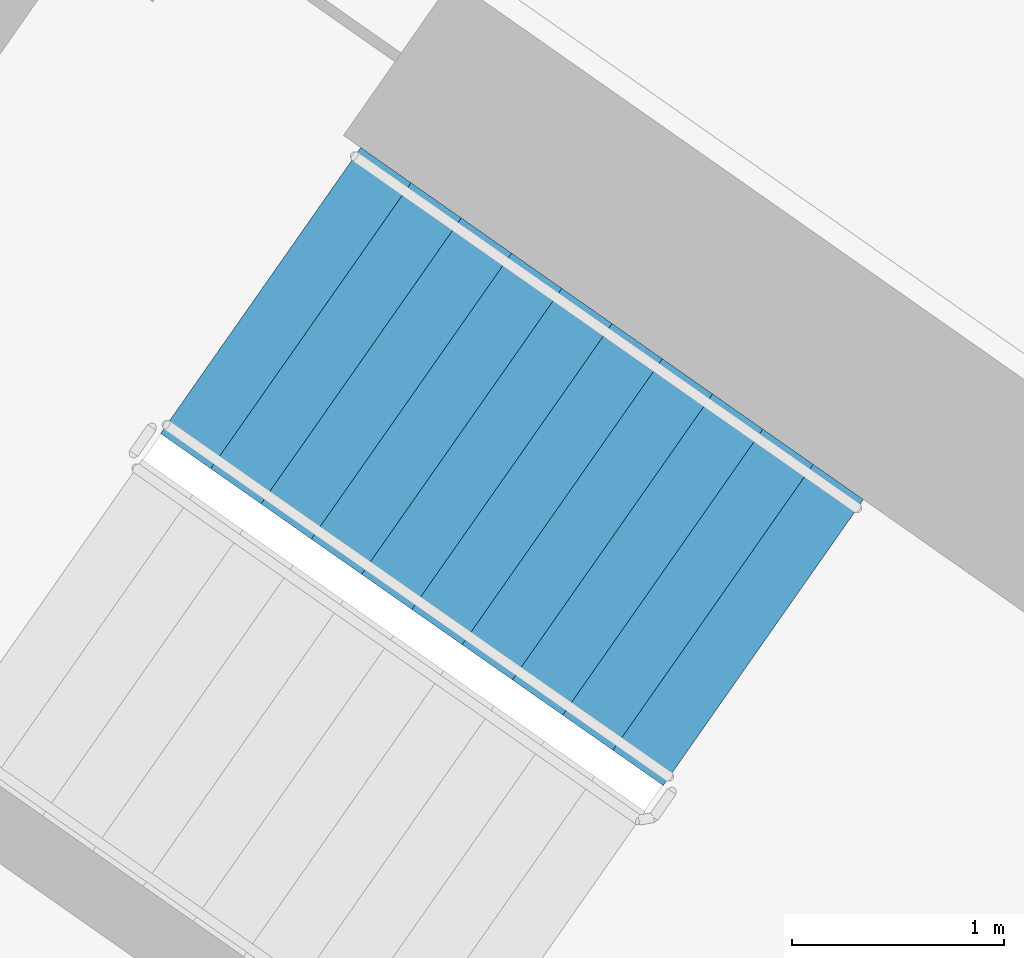
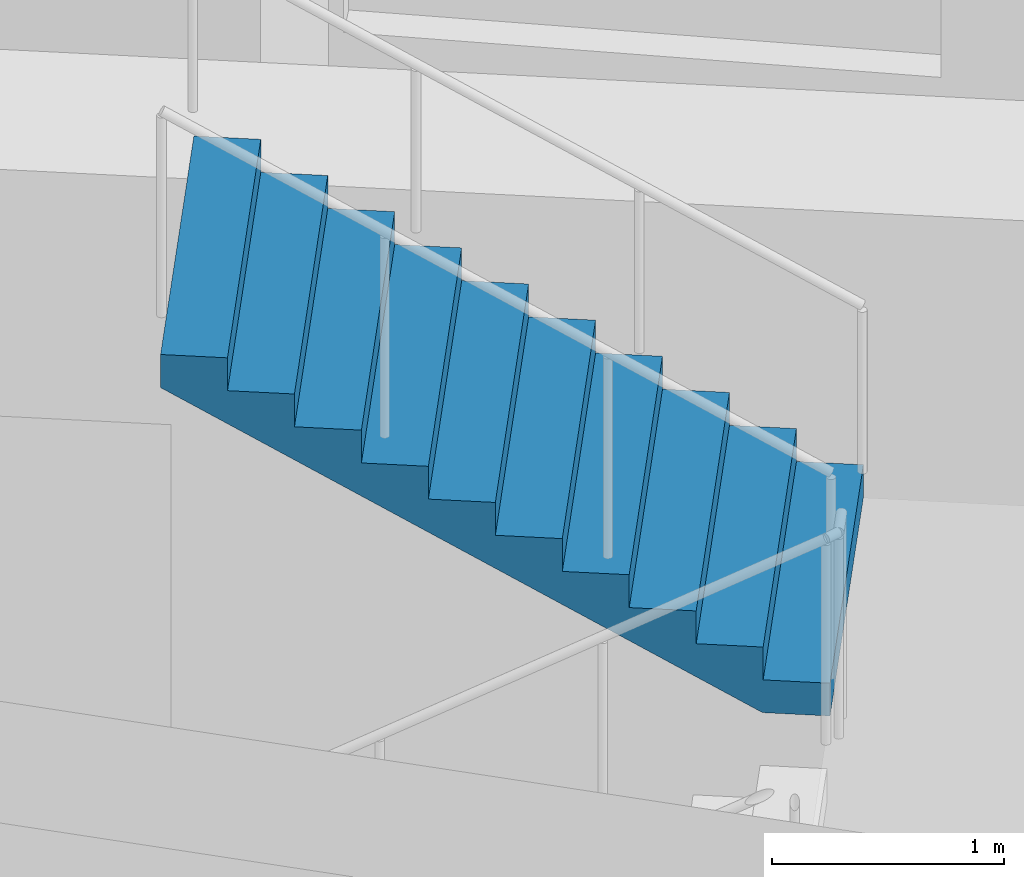
# One storey, part 12 of 28: 1 stair flight, 1 element without a shape of its own.
"""IFC4 building model written with IfcOpenShell, lengths in metres."""

from ifc_helpers import new_model, si_unit, direction, frame, origin, place, context, subcontext, project, spatial, faceted_brep, material, type_object, element, aggregate, save


model = new_model("IFC4")

# Units and contexts
model_context = context("Model", 3, precision=1e-05, world=origin(), true_north=direction((0.0, 1.0)))
body_context = subcontext(model_context, "Body", "Model", "MODEL_VIEW")
ifc_project = project(units=[si_unit("LENGTHUNIT", "METRE"), si_unit("AREAUNIT", "SQUARE_METRE"), si_unit("VOLUMEUNIT", "CUBIC_METRE"), si_unit("PLANEANGLEUNIT", "RADIAN"), si_unit("MASSUNIT", "GRAM", prefix="KILO")], contexts=[model_context])

# Site, building, storey
site_placement = place(None, origin())
site = spatial("IfcSite", under=ifc_project, at=site_placement, CompositionType="ELEMENT")
building_placement = place(site_placement, origin())
building = spatial("IfcBuilding", under=site, at=building_placement, Name="Qamariyya Broadcast Tower", CompositionType="ELEMENT")
storey_placement = place(building_placement, frame((0.0, 0.0, 140.5)))
storey = spatial("IfcBuildingStorey", under=building, at=storey_placement, Name="L32", CompositionType="ELEMENT", Elevation=140.5)

# Stair, stair flight
ifc_material = material(Name="Concrete C50/60", Category="concrete")
stair_type = type_object("IfcStairType", Name="Exit stair 22 risers of 173 mm", PredefinedType="HALF_TURN_STAIR", material=ifc_material)
stair_placement = place(storey_placement, origin())
stair = element("IfcStair", 1, at=stair_placement, inside=storey, type_object=stair_type, Name="L32 Stair W2", PredefinedType="HALF_TURN_STAIR")
stair_flight_type = type_object("IfcStairFlightType", Name="Exit stair flight 11 risers of 173 mm", PredefinedType="STRAIGHT", material=ifc_material)
stair_flight_placement = place(storey_placement, frame((-38.18310546875, -49.3486328125, 1.89990234375), z_axis=(0.0, 0.0, 1.0), x_axis=(-0.819152044289, 0.573576436351, 0.0)))
stair_flight = element("IfcStairFlight", 2, at=stair_flight_placement, type_object=stair_flight_type, Name="ST-W2 flight 2", NumberOfRisers=11, NumberOfTreads=10, PredefinedType="STRAIGHT", RiserHeight=0.172727273, TreadLength=0.29, context=body_context, shape_type="Brep", body=[
    faceted_brep([(0.0, 0.824951171875, 0.0), (0.0, 0.824951171875, 0.172607421875), (0.2900390625, 0.824951171875, 0.172607421875), (0.2900390625, 0.824951171875, 0.345458984375), (0.580078125, 0.824951171875, 0.345458984375), (0.580078125, 0.824951171875, 0.51806640625), (0.8701171875, 0.824951171875, 0.51806640625), (0.8701171875, 0.824951171875, 0.69091796875), (1.159912109375, 0.824951171875, 0.69091796875), (1.159912109375, 0.824951171875, 0.863525390625), (1.449951171875, 0.824951171875, 0.863525390625), (1.449951171875, 0.824951171875, 1.036376953125), (1.739990234375, 0.824951171875, 1.036376953125), (1.739990234375, 0.824951171875, 1.208984375), (2.030029296875, 0.824951171875, 1.208984375), (2.030029296875, 0.824951171875, 1.3818359375), (2.320068359375, 0.824951171875, 1.3818359375), (2.320068359375, 0.824951171875, 1.554443359375), (2.610107421875, 0.824951171875, 1.554443359375), (2.610107421875, 0.824951171875, 1.727294921875), (2.89990234375, 0.824951171875, 1.727294921875), (2.89990234375, 0.824951171875, 1.552734375), (0.29296875, 0.824951171875, 0.0), (0.29296875, -0.824951171875, 0.0), (2.89990234375, -0.824951171875, 1.552734375), (2.89990234375, -0.824951171875, 1.727294921875), (2.610107421875, -0.824951171875, 1.727294921875), (2.610107421875, -0.824951171875, 1.554443359375), (2.320068359375, -0.824951171875, 1.554443359375), (2.320068359375, -0.824951171875, 1.3818359375), (2.030029296875, -0.824951171875, 1.3818359375), (2.030029296875, -0.824951171875, 1.208984375), (1.739990234375, -0.824951171875, 1.208984375), (1.739990234375, -0.824951171875, 1.036376953125), (1.449951171875, -0.824951171875, 1.036376953125), (1.449951171875, -0.824951171875, 0.863525390625), (1.159912109375, -0.824951171875, 0.863525390625), (1.159912109375, -0.824951171875, 0.69091796875), (0.8701171875, -0.824951171875, 0.69091796875), (0.8701171875, -0.824951171875, 0.51806640625), (0.580078125, -0.824951171875, 0.51806640625), (0.580078125, -0.824951171875, 0.345458984375), (0.2900390625, -0.824951171875, 0.345458984375), (0.2900390625, -0.824951171875, 0.172607421875), (0.0, -0.824951171875, 0.172607421875), (0.0, -0.824951171875, 0.0), (0.0, 0.10009765625, 0.0), (0.0, 0.086669921875, 0.0), (0.0, 0.0732421875, 0.0), (0.0, 0.06005859375, 0.0), (0.0, 0.046630859375, 0.0), (0.0, 0.033447265625, 0.0), (0.0, 0.02001953125, 0.0), (0.0, 0.006591796875, 0.0), (0.0, -0.006591796875, 0.0), (0.0, -0.02001953125, 0.0), (0.0, -0.033447265625, 0.0), (0.0, -0.046630859375, 0.0), (0.0, -0.06005859375, 0.0), (0.0, -0.0732421875, 0.0), (0.0, -0.086669921875, 0.0), (0.0, -0.10009765625, 0.0), (0.0, -0.10009765625, 0.172607421875), (0.0, -0.086669921875, 0.172607421875), (0.0, -0.0732421875, 0.172607421875), (0.0, -0.06005859375, 0.172607421875), (0.0, -0.046630859375, 0.172607421875), (0.0, -0.033447265625, 0.172607421875), (0.0, -0.02001953125, 0.172607421875), (0.0, -0.006591796875, 0.172607421875), (0.0, 0.006591796875, 0.172607421875), (0.0, 0.02001953125, 0.172607421875), (0.0, 0.033447265625, 0.172607421875), (0.0, 0.046630859375, 0.172607421875), (0.0, 0.06005859375, 0.172607421875), (0.0, 0.0732421875, 0.172607421875), (0.0, 0.086669921875, 0.172607421875), (0.0, 0.10009765625, 0.172607421875), (0.2900390625, -0.10009765625, 0.172607421875), (0.2900390625, -0.086669921875, 0.172607421875), (0.2900390625, -0.0732421875, 0.172607421875), (0.2900390625, -0.06005859375, 0.172607421875), (0.2900390625, -0.046630859375, 0.172607421875), (0.2900390625, -0.033447265625, 0.172607421875), (0.2900390625, -0.02001953125, 0.172607421875), (0.2900390625, -0.006591796875, 0.172607421875), (0.2900390625, 0.006591796875, 0.172607421875), (0.2900390625, 0.02001953125, 0.172607421875), (0.2900390625, 0.033447265625, 0.172607421875), (0.2900390625, 0.046630859375, 0.172607421875), (0.2900390625, 0.06005859375, 0.172607421875), (0.2900390625, 0.0732421875, 0.172607421875), (0.2900390625, 0.086669921875, 0.172607421875), (0.2900390625, 0.10009765625, 0.172607421875), (0.2900390625, -0.10009765625, 0.345458984375), (0.2900390625, -0.086669921875, 0.345458984375), (0.2900390625, -0.0732421875, 0.345458984375), (0.2900390625, -0.06005859375, 0.345458984375), (0.2900390625, -0.046630859375, 0.345458984375), (0.2900390625, -0.033447265625, 0.345458984375), (0.2900390625, -0.02001953125, 0.345458984375), (0.2900390625, -0.006591796875, 0.345458984375), (0.2900390625, 0.006591796875, 0.345458984375), (0.2900390625, 0.02001953125, 0.345458984375), (0.2900390625, 0.033447265625, 0.345458984375), (0.2900390625, 0.046630859375, 0.345458984375), (0.2900390625, 0.06005859375, 0.345458984375), (0.2900390625, 0.0732421875, 0.345458984375), (0.2900390625, 0.086669921875, 0.345458984375), (0.2900390625, 0.10009765625, 0.345458984375), (0.580078125, -0.10009765625, 0.345458984375), (0.580078125, -0.086669921875, 0.345458984375), (0.580078125, -0.0732421875, 0.345458984375), (0.580078125, -0.06005859375, 0.345458984375), (0.580078125, -0.046630859375, 0.345458984375), (0.580078125, -0.033447265625, 0.345458984375), (0.580078125, -0.02001953125, 0.345458984375), (0.580078125, -0.006591796875, 0.345458984375), (0.580078125, 0.006591796875, 0.345458984375), (0.580078125, 0.02001953125, 0.345458984375), (0.580078125, 0.033447265625, 0.345458984375), (0.580078125, 0.046630859375, 0.345458984375), (0.580078125, 0.06005859375, 0.345458984375), (0.580078125, 0.0732421875, 0.345458984375), (0.580078125, 0.086669921875, 0.345458984375), (0.580078125, 0.10009765625, 0.345458984375), (0.580078125, -0.10009765625, 0.51806640625), (0.580078125, -0.086669921875, 0.51806640625), (0.580078125, -0.0732421875, 0.51806640625), (0.580078125, -0.06005859375, 0.51806640625), (0.580078125, -0.046630859375, 0.51806640625), (0.580078125, -0.033447265625, 0.51806640625), (0.580078125, -0.02001953125, 0.51806640625), (0.580078125, -0.006591796875, 0.51806640625), (0.580078125, 0.006591796875, 0.51806640625), (0.580078125, 0.02001953125, 0.51806640625), (0.580078125, 0.033447265625, 0.51806640625), (0.580078125, 0.046630859375, 0.51806640625), (0.580078125, 0.06005859375, 0.51806640625), (0.580078125, 0.0732421875, 0.51806640625), (0.580078125, 0.086669921875, 0.51806640625), (0.580078125, 0.10009765625, 0.51806640625), (0.8701171875, -0.10009765625, 0.51806640625), (0.8701171875, -0.086669921875, 0.51806640625), (0.8701171875, -0.0732421875, 0.51806640625), (0.8701171875, -0.06005859375, 0.51806640625), (0.8701171875, -0.046630859375, 0.51806640625), (0.8701171875, -0.033447265625, 0.51806640625), (0.8701171875, -0.02001953125, 0.51806640625), (0.8701171875, -0.006591796875, 0.51806640625), (0.8701171875, 0.006591796875, 0.51806640625), (0.8701171875, 0.02001953125, 0.51806640625), (0.8701171875, 0.033447265625, 0.51806640625), (0.8701171875, 0.046630859375, 0.51806640625), (0.8701171875, 0.06005859375, 0.51806640625), (0.8701171875, 0.0732421875, 0.51806640625), (0.8701171875, 0.086669921875, 0.51806640625), (0.8701171875, 0.10009765625, 0.51806640625), (0.8701171875, -0.10009765625, 0.69091796875), (0.8701171875, -0.086669921875, 0.69091796875), (0.8701171875, -0.0732421875, 0.69091796875), (0.8701171875, -0.06005859375, 0.69091796875), (0.8701171875, -0.046630859375, 0.69091796875), (0.8701171875, -0.033447265625, 0.69091796875), (0.8701171875, -0.02001953125, 0.69091796875), (0.8701171875, -0.006591796875, 0.69091796875), (0.8701171875, 0.006591796875, 0.69091796875), (0.8701171875, 0.02001953125, 0.69091796875), (0.8701171875, 0.033447265625, 0.69091796875), (0.8701171875, 0.046630859375, 0.69091796875), (0.8701171875, 0.06005859375, 0.69091796875), (0.8701171875, 0.0732421875, 0.69091796875), (0.8701171875, 0.086669921875, 0.69091796875), (0.8701171875, 0.10009765625, 0.69091796875), (1.159912109375, -0.10009765625, 0.69091796875), (1.159912109375, -0.086669921875, 0.69091796875), (1.159912109375, -0.0732421875, 0.69091796875), (1.159912109375, -0.06005859375, 0.69091796875), (1.159912109375, -0.046630859375, 0.69091796875), (1.159912109375, -0.033447265625, 0.69091796875), (1.159912109375, -0.02001953125, 0.69091796875), (1.159912109375, -0.006591796875, 0.69091796875), (1.159912109375, 0.006591796875, 0.69091796875), (1.159912109375, 0.02001953125, 0.69091796875), (1.159912109375, 0.033447265625, 0.69091796875), (1.159912109375, 0.046630859375, 0.69091796875), (1.159912109375, 0.06005859375, 0.69091796875), (1.159912109375, 0.0732421875, 0.69091796875), (1.159912109375, 0.086669921875, 0.69091796875), (1.159912109375, 0.10009765625, 0.69091796875), (1.159912109375, -0.10009765625, 0.863525390625), (1.159912109375, -0.086669921875, 0.863525390625), (1.159912109375, -0.0732421875, 0.863525390625), (1.159912109375, -0.06005859375, 0.863525390625), (1.159912109375, -0.046630859375, 0.863525390625), (1.159912109375, -0.033447265625, 0.863525390625), (1.159912109375, -0.02001953125, 0.863525390625), (1.159912109375, -0.006591796875, 0.863525390625), (1.159912109375, 0.006591796875, 0.863525390625), (1.159912109375, 0.02001953125, 0.863525390625), (1.159912109375, 0.033447265625, 0.863525390625), (1.159912109375, 0.046630859375, 0.863525390625), (1.159912109375, 0.06005859375, 0.863525390625), (1.159912109375, 0.0732421875, 0.863525390625), (1.159912109375, 0.086669921875, 0.863525390625), (1.159912109375, 0.10009765625, 0.863525390625), (1.449951171875, -0.10009765625, 0.863525390625), (1.449951171875, -0.086669921875, 0.863525390625), (1.449951171875, -0.0732421875, 0.863525390625), (1.449951171875, -0.06005859375, 0.863525390625), (1.449951171875, -0.046630859375, 0.863525390625), (1.449951171875, -0.033447265625, 0.863525390625), (1.449951171875, -0.02001953125, 0.863525390625), (1.449951171875, -0.006591796875, 0.863525390625), (1.449951171875, 0.006591796875, 0.863525390625), (1.449951171875, 0.02001953125, 0.863525390625), (1.449951171875, 0.033447265625, 0.863525390625), (1.449951171875, 0.046630859375, 0.863525390625), (1.449951171875, 0.06005859375, 0.863525390625), (1.449951171875, 0.0732421875, 0.863525390625), (1.449951171875, 0.086669921875, 0.863525390625), (1.449951171875, 0.10009765625, 0.863525390625), (1.449951171875, -0.10009765625, 1.036376953125), (1.449951171875, -0.086669921875, 1.036376953125), (1.449951171875, -0.0732421875, 1.036376953125), (1.449951171875, -0.06005859375, 1.036376953125), (1.449951171875, -0.046630859375, 1.036376953125), (1.449951171875, -0.033447265625, 1.036376953125), (1.449951171875, -0.02001953125, 1.036376953125), (1.449951171875, -0.006591796875, 1.036376953125), (1.449951171875, 0.006591796875, 1.036376953125), (1.449951171875, 0.02001953125, 1.036376953125), (1.449951171875, 0.033447265625, 1.036376953125), (1.449951171875, 0.046630859375, 1.036376953125), (1.449951171875, 0.06005859375, 1.036376953125), (1.449951171875, 0.0732421875, 1.036376953125), (1.449951171875, 0.086669921875, 1.036376953125), (1.449951171875, 0.10009765625, 1.036376953125), (1.739990234375, -0.10009765625, 1.036376953125), (1.739990234375, -0.086669921875, 1.036376953125), (1.739990234375, -0.0732421875, 1.036376953125), (1.739990234375, -0.06005859375, 1.036376953125), (1.739990234375, -0.046630859375, 1.036376953125), (1.739990234375, -0.033447265625, 1.036376953125), (1.739990234375, -0.02001953125, 1.036376953125), (1.739990234375, -0.006591796875, 1.036376953125), (1.739990234375, 0.006591796875, 1.036376953125), (1.739990234375, 0.02001953125, 1.036376953125), (1.739990234375, 0.033447265625, 1.036376953125), (1.739990234375, 0.046630859375, 1.036376953125), (1.739990234375, 0.06005859375, 1.036376953125), (1.739990234375, 0.0732421875, 1.036376953125), (1.739990234375, 0.086669921875, 1.036376953125), (1.739990234375, 0.10009765625, 1.036376953125), (1.739990234375, -0.10009765625, 1.208984375), (1.739990234375, -0.086669921875, 1.208984375), (1.739990234375, -0.0732421875, 1.208984375), (1.739990234375, -0.06005859375, 1.208984375), (1.739990234375, -0.046630859375, 1.208984375), (1.739990234375, -0.033447265625, 1.208984375), (1.739990234375, -0.02001953125, 1.208984375), (1.739990234375, -0.006591796875, 1.208984375), (1.739990234375, 0.006591796875, 1.208984375), (1.739990234375, 0.02001953125, 1.208984375), (1.739990234375, 0.033447265625, 1.208984375), (1.739990234375, 0.046630859375, 1.208984375), (1.739990234375, 0.06005859375, 1.208984375), (1.739990234375, 0.0732421875, 1.208984375), (1.739990234375, 0.086669921875, 1.208984375), (1.739990234375, 0.10009765625, 1.208984375), (2.030029296875, -0.10009765625, 1.208984375), (2.030029296875, -0.086669921875, 1.208984375), (2.030029296875, -0.0732421875, 1.208984375), (2.030029296875, -0.06005859375, 1.208984375), (2.030029296875, -0.046630859375, 1.208984375), (2.030029296875, -0.033447265625, 1.208984375), (2.030029296875, -0.02001953125, 1.208984375), (2.030029296875, -0.006591796875, 1.208984375), (2.030029296875, 0.006591796875, 1.208984375), (2.030029296875, 0.02001953125, 1.208984375), (2.030029296875, 0.033447265625, 1.208984375), (2.030029296875, 0.046630859375, 1.208984375), (2.030029296875, 0.06005859375, 1.208984375), (2.030029296875, 0.0732421875, 1.208984375), (2.030029296875, 0.086669921875, 1.208984375), (2.030029296875, 0.10009765625, 1.208984375), (2.030029296875, -0.10009765625, 1.3818359375), (2.030029296875, -0.086669921875, 1.3818359375), (2.030029296875, -0.0732421875, 1.3818359375), (2.030029296875, -0.06005859375, 1.3818359375), (2.030029296875, -0.046630859375, 1.3818359375), (2.030029296875, -0.033447265625, 1.3818359375), (2.030029296875, -0.02001953125, 1.3818359375), (2.030029296875, -0.006591796875, 1.3818359375), (2.030029296875, 0.006591796875, 1.3818359375), (2.030029296875, 0.02001953125, 1.3818359375), (2.030029296875, 0.033447265625, 1.3818359375), (2.030029296875, 0.046630859375, 1.3818359375), (2.030029296875, 0.06005859375, 1.3818359375), (2.030029296875, 0.0732421875, 1.3818359375), (2.030029296875, 0.086669921875, 1.3818359375), (2.030029296875, 0.10009765625, 1.3818359375), (2.320068359375, -0.10009765625, 1.3818359375), (2.320068359375, -0.086669921875, 1.3818359375), (2.320068359375, -0.0732421875, 1.3818359375), (2.320068359375, -0.06005859375, 1.3818359375), (2.320068359375, -0.046630859375, 1.3818359375), (2.320068359375, -0.033447265625, 1.3818359375), (2.320068359375, -0.02001953125, 1.3818359375), (2.320068359375, -0.006591796875, 1.3818359375), (2.320068359375, 0.006591796875, 1.3818359375), (2.320068359375, 0.02001953125, 1.3818359375), (2.320068359375, 0.033447265625, 1.3818359375), (2.320068359375, 0.046630859375, 1.3818359375), (2.320068359375, 0.06005859375, 1.3818359375), (2.320068359375, 0.0732421875, 1.3818359375), (2.320068359375, 0.086669921875, 1.3818359375), (2.320068359375, 0.10009765625, 1.3818359375), (2.320068359375, -0.10009765625, 1.554443359375), (2.320068359375, -0.086669921875, 1.554443359375), (2.320068359375, -0.0732421875, 1.554443359375), (2.320068359375, -0.06005859375, 1.554443359375), (2.320068359375, -0.046630859375, 1.554443359375), (2.320068359375, -0.033447265625, 1.554443359375), (2.320068359375, -0.02001953125, 1.554443359375), (2.320068359375, -0.006591796875, 1.554443359375), (2.320068359375, 0.006591796875, 1.554443359375), (2.320068359375, 0.02001953125, 1.554443359375), (2.320068359375, 0.033447265625, 1.554443359375), (2.320068359375, 0.046630859375, 1.554443359375), (2.320068359375, 0.06005859375, 1.554443359375), (2.320068359375, 0.0732421875, 1.554443359375), (2.320068359375, 0.086669921875, 1.554443359375), (2.320068359375, 0.10009765625, 1.554443359375), (2.610107421875, -0.10009765625, 1.554443359375), (2.610107421875, -0.086669921875, 1.554443359375), (2.610107421875, -0.0732421875, 1.554443359375), (2.610107421875, -0.06005859375, 1.554443359375), (2.610107421875, -0.046630859375, 1.554443359375), (2.610107421875, -0.033447265625, 1.554443359375), (2.610107421875, -0.02001953125, 1.554443359375), (2.610107421875, -0.006591796875, 1.554443359375), (2.610107421875, 0.006591796875, 1.554443359375), (2.610107421875, 0.02001953125, 1.554443359375), (2.610107421875, 0.033447265625, 1.554443359375), (2.610107421875, 0.046630859375, 1.554443359375), (2.610107421875, 0.06005859375, 1.554443359375), (2.610107421875, 0.0732421875, 1.554443359375), (2.610107421875, 0.086669921875, 1.554443359375), (2.610107421875, 0.10009765625, 1.554443359375), (2.610107421875, -0.10009765625, 1.727294921875), (2.610107421875, -0.086669921875, 1.727294921875), (2.610107421875, -0.0732421875, 1.727294921875), (2.610107421875, -0.06005859375, 1.727294921875), (2.610107421875, -0.046630859375, 1.727294921875), (2.610107421875, -0.033447265625, 1.727294921875), (2.610107421875, -0.02001953125, 1.727294921875), (2.610107421875, -0.006591796875, 1.727294921875), (2.610107421875, 0.006591796875, 1.727294921875), (2.610107421875, 0.02001953125, 1.727294921875), (2.610107421875, 0.033447265625, 1.727294921875), (2.610107421875, 0.046630859375, 1.727294921875), (2.610107421875, 0.06005859375, 1.727294921875), (2.610107421875, 0.0732421875, 1.727294921875), (2.610107421875, 0.086669921875, 1.727294921875), (2.610107421875, 0.10009765625, 1.727294921875), (2.89990234375, -0.10009765625, 1.727294921875), (2.89990234375, -0.086669921875, 1.727294921875), (2.89990234375, -0.0732421875, 1.727294921875), (2.89990234375, -0.06005859375, 1.727294921875), (2.89990234375, -0.046630859375, 1.727294921875), (2.89990234375, -0.033447265625, 1.727294921875), (2.89990234375, -0.02001953125, 1.727294921875), (2.89990234375, -0.006591796875, 1.727294921875), (2.89990234375, 0.006591796875, 1.727294921875), (2.89990234375, 0.02001953125, 1.727294921875), (2.89990234375, 0.033447265625, 1.727294921875), (2.89990234375, 0.046630859375, 1.727294921875), (2.89990234375, 0.06005859375, 1.727294921875), (2.89990234375, 0.0732421875, 1.727294921875), (2.89990234375, 0.086669921875, 1.727294921875), (2.89990234375, 0.10009765625, 1.727294921875), (2.89990234375, -0.10009765625, 1.552734375), (2.89990234375, -0.086669921875, 1.552734375), (2.89990234375, -0.0732421875, 1.552734375), (2.89990234375, -0.06005859375, 1.552734375), (2.89990234375, -0.046630859375, 1.552734375), (2.89990234375, -0.033447265625, 1.552734375), (2.89990234375, -0.02001953125, 1.552734375), (2.89990234375, -0.006591796875, 1.552734375), (2.89990234375, 0.006591796875, 1.552734375), (2.89990234375, 0.02001953125, 1.552734375), (2.89990234375, 0.033447265625, 1.552734375), (2.89990234375, 0.046630859375, 1.552734375), (2.89990234375, 0.06005859375, 1.552734375), (2.89990234375, 0.0732421875, 1.552734375), (2.89990234375, 0.086669921875, 1.552734375), (2.89990234375, 0.10009765625, 1.552734375), (0.29296875, -0.10009765625, 0.0), (0.29296875, -0.086669921875, 0.0), (0.29296875, -0.0732421875, 0.0), (0.29296875, -0.06005859375, 0.0), (0.29296875, -0.046630859375, 0.0), (0.29296875, -0.033447265625, 0.0), (0.29296875, -0.02001953125, 0.0), (0.29296875, -0.006591796875, 0.0), (0.29296875, 0.006591796875, 0.0), (0.29296875, 0.02001953125, 0.0), (0.29296875, 0.033447265625, 0.0), (0.29296875, 0.046630859375, 0.0), (0.29296875, 0.06005859375, 0.0), (0.29296875, 0.0732421875, 0.0), (0.29296875, 0.086669921875, 0.0), (0.29296875, 0.10009765625, 0.0)], [[[0, 1, 2, 3, 4, 5, 6, 7, 8, 9, 10, 11, 12, 13, 14, 15, 16, 17, 18, 19, 20, 21, 22]], [[23, 24, 25, 26, 27, 28, 29, 30, 31, 32, 33, 34, 35, 36, 37, 38, 39, 40, 41, 42, 43, 44, 45]], [[0, 46, 47, 48, 49, 50, 51, 52, 53, 54, 55, 56, 57, 58, 59, 60, 61, 45, 44, 62, 63, 64, 65, 66, 67, 68, 69, 70, 71, 72, 73, 74, 75, 76, 77, 1]], [[1, 77, 76, 75, 74, 73, 72, 71, 70, 69, 68, 67, 66, 65, 64, 63, 62, 44, 43, 78, 79, 80, 81, 82, 83, 84, 85, 86, 87, 88, 89, 90, 91, 92, 93, 2]], [[2, 93, 92, 91, 90, 89, 88, 87, 86, 85, 84, 83, 82, 81, 80, 79, 78, 43, 42, 94, 95, 96, 97, 98, 99, 100, 101, 102, 103, 104, 105, 106, 107, 108, 109, 3]], [[3, 109, 108, 107, 106, 105, 104, 103, 102, 101, 100, 99, 98, 97, 96, 95, 94, 42, 41, 110, 111, 112, 113, 114, 115, 116, 117, 118, 119, 120, 121, 122, 123, 124, 125, 4]], [[4, 125, 124, 123, 122, 121, 120, 119, 118, 117, 116, 115, 114, 113, 112, 111, 110, 41, 40, 126, 127, 128, 129, 130, 131, 132, 133, 134, 135, 136, 137, 138, 139, 140, 141, 5]], [[5, 141, 140, 139, 138, 137, 136, 135, 134, 133, 132, 131, 130, 129, 128, 127, 126, 40, 39, 142, 143, 144, 145, 146, 147, 148, 149, 150, 151, 152, 153, 154, 155, 156, 157, 6]], [[6, 157, 156, 155, 154, 153, 152, 151, 150, 149, 148, 147, 146, 145, 144, 143, 142, 39, 38, 158, 159, 160, 161, 162, 163, 164, 165, 166, 167, 168, 169, 170, 171, 172, 173, 7]], [[7, 173, 172, 171, 170, 169, 168, 167, 166, 165, 164, 163, 162, 161, 160, 159, 158, 38, 37, 174, 175, 176, 177, 178, 179, 180, 181, 182, 183, 184, 185, 186, 187, 188, 189, 8]], [[8, 189, 188, 187, 186, 185, 184, 183, 182, 181, 180, 179, 178, 177, 176, 175, 174, 37, 36, 190, 191, 192, 193, 194, 195, 196, 197, 198, 199, 200, 201, 202, 203, 204, 205, 9]], [[9, 205, 204, 203, 202, 201, 200, 199, 198, 197, 196, 195, 194, 193, 192, 191, 190, 36, 35, 206, 207, 208, 209, 210, 211, 212, 213, 214, 215, 216, 217, 218, 219, 220, 221, 10]], [[10, 221, 220, 219, 218, 217, 216, 215, 214, 213, 212, 211, 210, 209, 208, 207, 206, 35, 34, 222, 223, 224, 225, 226, 227, 228, 229, 230, 231, 232, 233, 234, 235, 236, 237, 11]], [[11, 237, 236, 235, 234, 233, 232, 231, 230, 229, 228, 227, 226, 225, 224, 223, 222, 34, 33, 238, 239, 240, 241, 242, 243, 244, 245, 246, 247, 248, 249, 250, 251, 252, 253, 12]], [[12, 253, 252, 251, 250, 249, 248, 247, 246, 245, 244, 243, 242, 241, 240, 239, 238, 33, 32, 254, 255, 256, 257, 258, 259, 260, 261, 262, 263, 264, 265, 266, 267, 268, 269, 13]], [[13, 269, 268, 267, 266, 265, 264, 263, 262, 261, 260, 259, 258, 257, 256, 255, 254, 32, 31, 270, 271, 272, 273, 274, 275, 276, 277, 278, 279, 280, 281, 282, 283, 284, 285, 14]], [[14, 285, 284, 283, 282, 281, 280, 279, 278, 277, 276, 275, 274, 273, 272, 271, 270, 31, 30, 286, 287, 288, 289, 290, 291, 292, 293, 294, 295, 296, 297, 298, 299, 300, 301, 15]], [[15, 301, 300, 299, 298, 297, 296, 295, 294, 293, 292, 291, 290, 289, 288, 287, 286, 30, 29, 302, 303, 304, 305, 306, 307, 308, 309, 310, 311, 312, 313, 314, 315, 316, 317, 16]], [[16, 317, 316, 315, 314, 313, 312, 311, 310, 309, 308, 307, 306, 305, 304, 303, 302, 29, 28, 318, 319, 320, 321, 322, 323, 324, 325, 326, 327, 328, 329, 330, 331, 332, 333, 17]], [[17, 333, 332, 331, 330, 329, 328, 327, 326, 325, 324, 323, 322, 321, 320, 319, 318, 28, 27, 334, 335, 336, 337, 338, 339, 340, 341, 342, 343, 344, 345, 346, 347, 348, 349, 18]], [[18, 349, 348, 347, 346, 345, 344, 343, 342, 341, 340, 339, 338, 337, 336, 335, 334, 27, 26, 350, 351, 352, 353, 354, 355, 356, 357, 358, 359, 360, 361, 362, 363, 364, 365, 19]], [[19, 365, 364, 363, 362, 361, 360, 359, 358, 357, 356, 355, 354, 353, 352, 351, 350, 26, 25, 366, 367, 368, 369, 370, 371, 372, 373, 374, 375, 376, 377, 378, 379, 380, 381, 20]], [[20, 381, 380, 379, 378, 377, 376, 375, 374, 373, 372, 371, 370, 369, 368, 367, 366, 25, 24, 382, 383, 384, 385, 386, 387, 388, 389, 390, 391, 392, 393, 394, 395, 396, 397, 21]], [[21, 397, 396, 395, 394, 393, 392, 391, 390, 389, 388, 387, 386, 385, 384, 383, 382, 24, 23, 398, 399, 400, 401, 402, 403, 404, 405, 406, 407, 408, 409, 410, 411, 412, 413, 22]], [[22, 413, 412, 411, 410, 409, 408, 407, 406, 405, 404, 403, 402, 401, 400, 399, 398, 23, 45, 61, 60, 59, 58, 57, 56, 55, 54, 53, 52, 51, 50, 49, 48, 47, 46, 0]]]),
])
aggregate(stair, [stair_flight])

save(model, "model.ifc")
